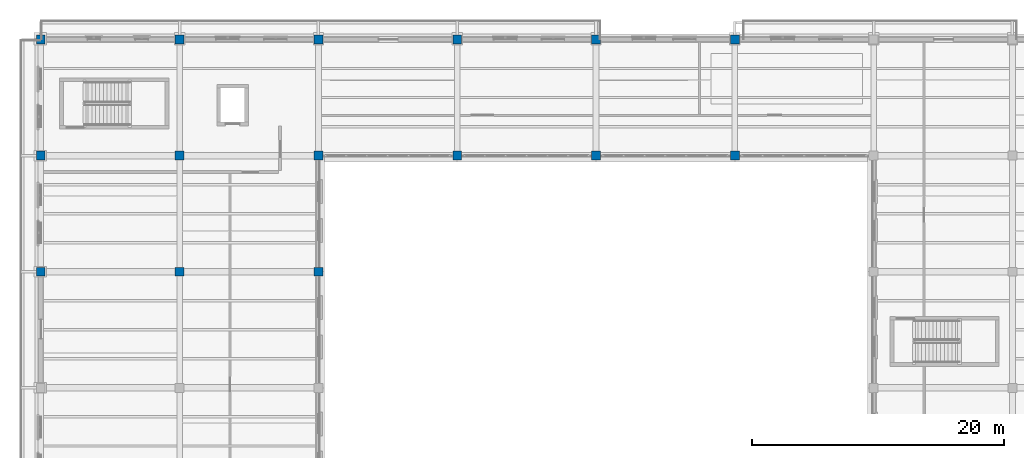
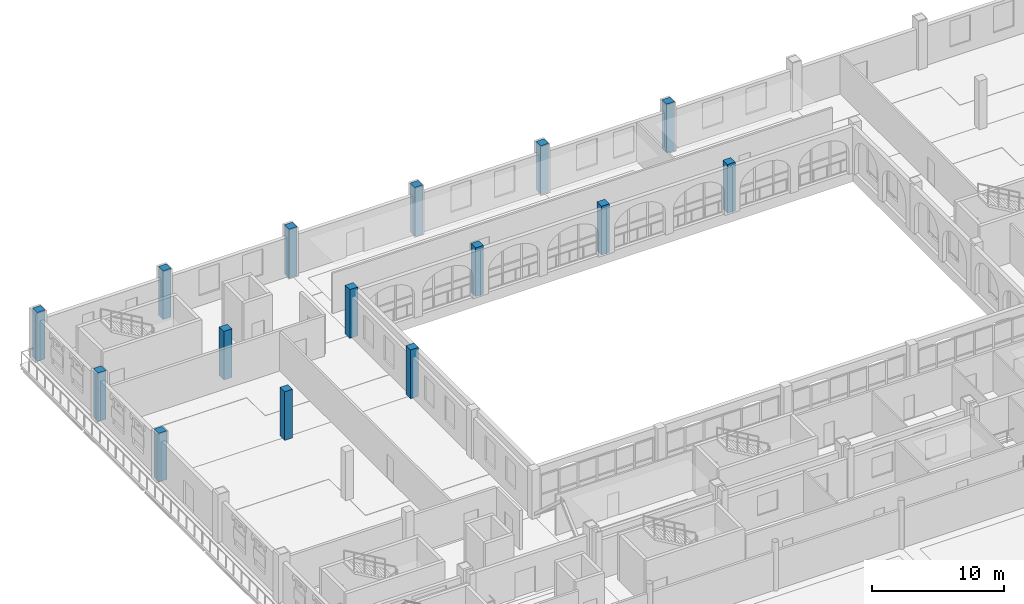
# One storey, part 6 of 156: 15 columns.
"""IFC4 building model written with IfcOpenShell, lengths in metres."""

from ifc_helpers import new_model, si_unit, direction, frame, origin, origin_2d, place, context, subcontext, project, spatial, rectangle, extrude, material, material_profile, profile_set, type_object, element, save


model = new_model("IFC4")

# Units and contexts
model_context = context("Model", 3, precision=1e-05, world=origin(), true_north=direction((0.0, 1.0)))
body_context = subcontext(model_context, "Body", "Model", "MODEL_VIEW")
ifc_project = project(units=[si_unit("LENGTHUNIT", "METRE"), si_unit("AREAUNIT", "SQUARE_METRE"), si_unit("VOLUMEUNIT", "CUBIC_METRE"), si_unit("PLANEANGLEUNIT", "RADIAN"), si_unit("MASSUNIT", "GRAM", prefix="KILO")], contexts=[model_context])

# Site, building, storey
site_placement = place(None, origin())
site = spatial("IfcSite", under=ifc_project, at=site_placement, CompositionType="ELEMENT")
building_placement = place(site_placement, origin())
building = spatial("IfcBuilding", under=site, at=building_placement, Name="Caurita Quay Ferry Terminal", CompositionType="ELEMENT")
storey_placement = place(building_placement, frame((0.0, 0.0, 5.39990234375)))
storey = spatial("IfcBuildingStorey", under=building, at=storey_placement, Name="L01", CompositionType="ELEMENT", Elevation=5.39990234375)

# Columns
ifc_material = material(Name="Reinforced concrete C35/45", Category="concrete")
ifc_material_profile = material_profile(ifc_material, rectangle(XDim=0.699951171875, YDim=0.699951171875, at=origin_2d()), Name="RC-COL-700X700")
ifc_profile_set = profile_set([ifc_material_profile], Name="Reinforced concrete C35/45")
column_type = type_object("IfcColumnType", Name="COL-RC-700", PredefinedType="COLUMN", material=ifc_profile_set)
for number, where, z_axis, x_axis, name in (
    (1, (0.0, 98.60009765625, 0.0), (0.0, 0.0, 1.0), (1.0, 0.0, 0.0), "L01 Column V5-01-P"),
    (2, (0.0, 107.800048828125, 0.0), (0.0, 0.0, 1.0), (1.0, 0.0, 0.0), "L01 Column V5-01-Q"),
    (3, (0.0, 117.0, 0.0), (0.0, 0.0, 1.0), (1.0, 0.0, 0.0), "L01 Column V5-01-R"),
    (4, (11.0, 98.60009765625, 0.0), (0.0, 0.0, 1.0), (1.0, 0.0, 0.0), "L01 Column V5-02-P"),
    (5, (11.0, 107.800048828125, 0.0), (0.0, 0.0, 1.0), (1.0, 0.0, 0.0), "L01 Column V5-02-Q"),
    (6, (11.0, 117.0, 0.0), (0.0, 0.0, 1.0), (1.0, 0.0, 0.0), "L01 Column V5-02-R"),
    (7, (22.0, 98.60009765625, 0.0), (0.0, 0.0, 1.0), (1.0, 0.0, 0.0), "L01 Column V5-03-P"),
    (8, (22.0, 107.800048828125, 0.0), (0.0, 0.0, 1.0), (1.0, 0.0, 0.0), "L01 Column V5-03-Q"),
    (9, (22.0, 117.0, 0.0), (0.0, 0.0, 1.0), (1.0, 0.0, 0.0), "L01 Column V5-03-R"),
    (10, (33.0, 107.800048828125, 0.0), (0.0, 0.0, 1.0), (1.0, 0.0, 0.0), "L01 Column V5-04-Q"),
    (11, (33.0, 117.0, 0.0), (0.0, 0.0, 1.0), (1.0, 0.0, 0.0), "L01 Column V5-04-R"),
    (12, (44.0, 107.800048828125, 0.0), (0.0, 0.0, 1.0), (1.0, 0.0, 0.0), "L01 Column V5-05-Q"),
    (13, (44.0, 117.0, 0.0), (0.0, 0.0, 1.0), (1.0, 0.0, 0.0), "L01 Column V5-05-R"),
    (14, (55.0, 107.800048828125, 0.0), (0.0, 0.0, 1.0), (1.0, 0.0, 0.0), "L01 Column V5-06-Q"),
    (15, (55.0, 117.0, 0.0), (0.0, 0.0, 1.0), (1.0, 0.0, 0.0), "L01 Column V5-06-R"),
):
    element("IfcColumn", number, at=place(storey_placement, frame(where, z_axis=z_axis, x_axis=x_axis)), inside=storey, type_object=column_type, Name=name, PredefinedType="COLUMN", context=body_context, shape_type="SweptSolid", body=[
        extrude(rectangle(XDim=0.699951171875, YDim=0.699951171875, at=origin_2d()), origin(), (0.0, 0.0, 1.0), 4.5),
    ])

save(model, "model.ifc")
